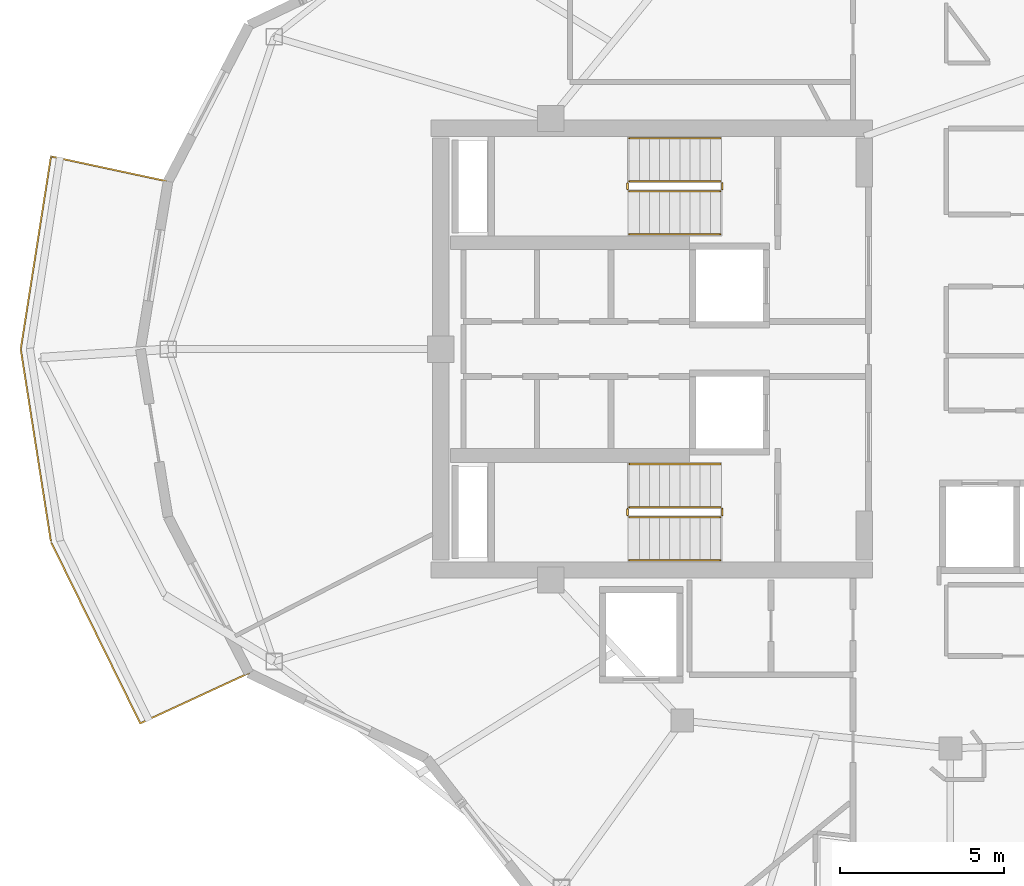
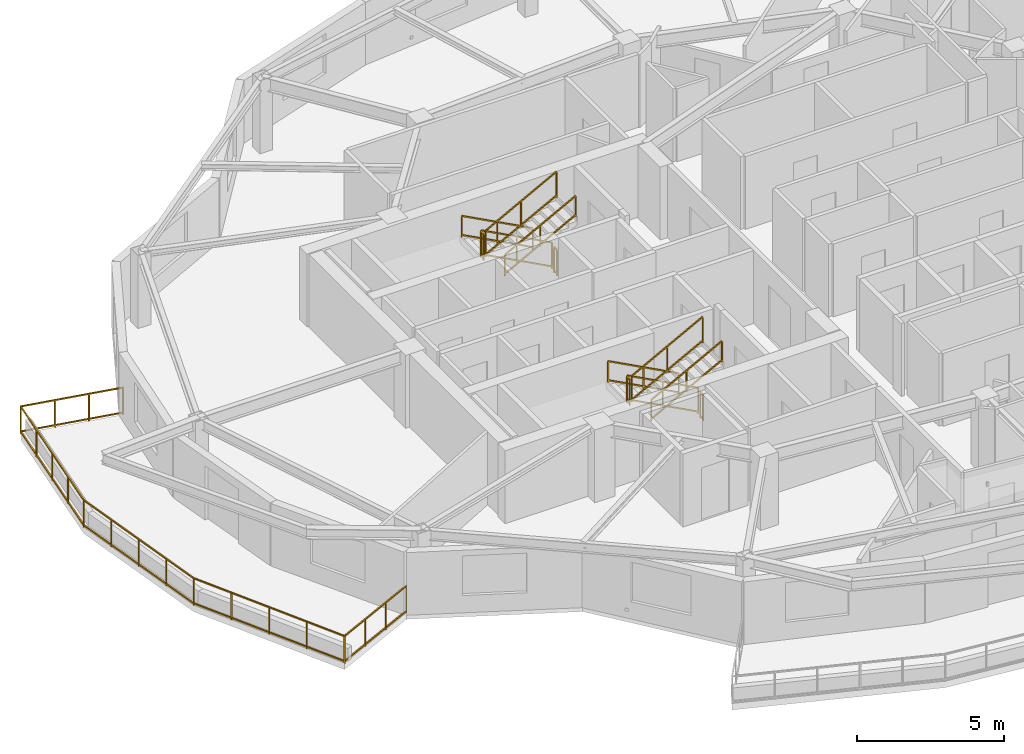
# One storey, part 11 of 14: 13 railings.
"""IFC4 building model written with IfcOpenShell, lengths in metres."""

from ifc_helpers import new_model, si_unit, direction, frame, origin, origin_2d, place, context, subcontext, project, spatial, rectangle, extrude, material, type_object, element, save


model = new_model("IFC4")

# Units and contexts
model_context = context("Model", 3, precision=1e-05, world=origin(), true_north=direction((0.0, 1.0)))
body_context = subcontext(model_context, "Body", "Model", "MODEL_VIEW")
ifc_project = project(units=[si_unit("LENGTHUNIT", "METRE"), si_unit("AREAUNIT", "SQUARE_METRE"), si_unit("VOLUMEUNIT", "CUBIC_METRE"), si_unit("PLANEANGLEUNIT", "RADIAN"), si_unit("MASSUNIT", "GRAM", prefix="KILO")], contexts=[model_context])

# Site, building, storey
site_placement = place(None, origin())
site = spatial("IfcSite", under=ifc_project, at=site_placement, CompositionType="ELEMENT")
building_placement = place(site_placement, origin())
building = spatial("IfcBuilding", under=site, at=building_placement, Name="Kolvaren Gate Tower and Convention Centre", CompositionType="ELEMENT")
storey_placement = place(building_placement, frame((0.0, 0.0, 216.199951171875)))
storey = spatial("IfcBuildingStorey", under=building, at=storey_placement, Name="L57", CompositionType="ELEMENT", Elevation=216.199951171875)

# Railings
ifc_material = material(Name="Brushed Stainless Steel Grade 316L", Category="steel")
railing_type_1 = type_object("IfcRailingType", Name="ARCH-RL-GUARD-1150", PredefinedType="GUARDRAIL", material=ifc_material)
railing_1_placement = place(storey_placement, frame((23.10009765625, 32.1298828125, 0.1650390625)))
element("IfcRailing", 1, at=railing_1_placement, inside=storey, type_object=railing_type_1, Name="L57 ST-T1 stair guard 1", PredefinedType="GUARDRAIL", context=body_context, shape_type="SweptSolid", body=[
    extrude(rectangle(XDim=0.048095703125, YDim=0.048095703125, at=origin_2d()), frame((0.0, 0.0, 1.076171875), z_axis=(-0.882735390775, 0.0, 0.469870439454), x_axis=(0.0, -1.0, 0.0)), (0.0, 0.0, 1.0), 3.16064453125),
    extrude(rectangle(XDim=0.048095703125, YDim=0.048095703125, at=origin_2d()), frame((0.0, 0.0, 0.083984375), z_axis=(-0.882735390775, 0.0, 0.469870439454), x_axis=(0.0, -1.0, 0.0)), (0.0, 0.0, 1.0), 3.16064453125),
    extrude(rectangle(XDim=0.0419921875, YDim=0.0419921875, at=origin_2d()), origin(), (0.0, 0.0, 1.0), 1.050048828125),
    extrude(rectangle(XDim=0.0419921875, YDim=0.0419921875, at=origin_2d()), frame((-2.7900390625, 0.0, 1.485107421875)), (0.0, 0.0, 1.0), 1.050048828125),
    extrude(rectangle(XDim=0.0419921875, YDim=0.0419921875, at=origin_2d()), frame((-1.39501953125, 0.0, 0.74267578125)), (0.0, 0.0, 1.0), 1.050048828125),
])
railing_2_placement = place(storey_placement, frame((20.260009765625, 32.080078125, 1.650146484375)))
element("IfcRailing", 2, at=railing_2_placement, inside=storey, type_object=railing_type_1, Name="L57 ST-T1 stair guard 2", PredefinedType="GUARDRAIL", context=body_context, shape_type="SweptSolid", body=[
    extrude(rectangle(XDim=0.048095703125, YDim=0.048095703125, at=origin_2d()), frame((0.0, 0.0, 1.076171875), z_axis=(0.0, -1.0, 0.0), x_axis=(1.0, 0.0, 0.0)), (0.0, 0.0, 1.0), 0.2001953125),
    extrude(rectangle(XDim=0.048095703125, YDim=0.048095703125, at=origin_2d()), frame((0.0, 0.0, 0.083984375), z_axis=(0.0, -1.0, 0.0), x_axis=(1.0, 0.0, 0.0)), (0.0, 0.0, 1.0), 0.2001953125),
    extrude(rectangle(XDim=0.0419921875, YDim=0.0419921875, at=origin_2d()), origin(), (0.0, 0.0, 1.0), 1.050048828125),
    extrude(rectangle(XDim=0.0419921875, YDim=0.0419921875, at=origin_2d()), frame((0.0, -0.2001953125, 0.0)), (0.0, 0.0, 1.0), 1.050048828125),
])
railing_3_placement = place(storey_placement, frame((20.31005859375, 31.830078125, 1.81494140625)))
element("IfcRailing", 3, at=railing_3_placement, inside=storey, type_object=railing_type_1, Name="L57 ST-T1 stair guard 3", PredefinedType="GUARDRAIL", context=body_context, shape_type="SweptSolid", body=[
    extrude(rectangle(XDim=0.048095703125, YDim=0.048095703125, at=origin_2d()), frame((0.0, 0.0, 1.076171875), z_axis=(0.882735390775, 0.0, 0.469870439454), x_axis=(0.0, 1.0, 0.0)), (0.0, 0.0, 1.0), 3.16064453125),
    extrude(rectangle(XDim=0.048095703125, YDim=0.048095703125, at=origin_2d()), frame((0.0, 0.0, 0.083984375), z_axis=(0.882735390775, 0.0, 0.469870439454), x_axis=(0.0, 1.0, 0.0)), (0.0, 0.0, 1.0), 3.16064453125),
    extrude(rectangle(XDim=0.0419921875, YDim=0.0419921875, at=origin_2d()), origin(), (0.0, 0.0, 1.0), 1.050048828125),
    extrude(rectangle(XDim=0.0419921875, YDim=0.0419921875, at=origin_2d()), frame((2.7900390625, 0.0, 1.485107421875)), (0.0, 0.0, 1.0), 1.050048828125),
    extrude(rectangle(XDim=0.0419921875, YDim=0.0419921875, at=origin_2d()), frame((1.39501953125, 0.0, 0.74267578125)), (0.0, 0.0, 1.0), 1.050048828125),
])
railing_4_placement = place(storey_placement, frame((23.14990234375, 32.080078125, 0.0)))
element("IfcRailing", 4, at=railing_4_placement, inside=storey, type_object=railing_type_1, Name="L57 ST-T1 stair guard 4", PredefinedType="GUARDRAIL", context=body_context, shape_type="SweptSolid", body=[
    extrude(rectangle(XDim=0.048095703125, YDim=0.048095703125, at=origin_2d()), frame((0.0, 0.0, 1.076171875), z_axis=(0.0, -1.0, 0.0), x_axis=(1.0, 0.0, 0.0)), (0.0, 0.0, 1.0), 0.2001953125),
    extrude(rectangle(XDim=0.048095703125, YDim=0.048095703125, at=origin_2d()), frame((0.0, 0.0, 0.083984375), z_axis=(0.0, -1.0, 0.0), x_axis=(1.0, 0.0, 0.0)), (0.0, 0.0, 1.0), 0.2001953125),
    extrude(rectangle(XDim=0.0419921875, YDim=0.0419921875, at=origin_2d()), origin(), (0.0, 0.0, 1.0), 1.050048828125),
    extrude(rectangle(XDim=0.0419921875, YDim=0.0419921875, at=origin_2d()), frame((0.0, -0.2001953125, 0.0)), (0.0, 0.0, 1.0), 1.050048828125),
])
railing_5_placement = place(storey_placement, frame((23.10009765625, 22.169921875, 0.1650390625)))
element("IfcRailing", 5, at=railing_5_placement, inside=storey, type_object=railing_type_1, Name="L57 ST-T2 stair guard 1", PredefinedType="GUARDRAIL", context=body_context, shape_type="SweptSolid", body=[
    extrude(rectangle(XDim=0.048095703125, YDim=0.048095703125, at=origin_2d()), frame((0.0, 0.0, 1.076171875), z_axis=(-0.882735390775, 0.0, 0.469870439454), x_axis=(0.0, -1.0, 0.0)), (0.0, 0.0, 1.0), 3.16064453125),
    extrude(rectangle(XDim=0.048095703125, YDim=0.048095703125, at=origin_2d()), frame((0.0, 0.0, 0.083984375), z_axis=(-0.882735390775, 0.0, 0.469870439454), x_axis=(0.0, -1.0, 0.0)), (0.0, 0.0, 1.0), 3.16064453125),
    extrude(rectangle(XDim=0.0419921875, YDim=0.0419921875, at=origin_2d()), origin(), (0.0, 0.0, 1.0), 1.050048828125),
    extrude(rectangle(XDim=0.0419921875, YDim=0.0419921875, at=origin_2d()), frame((-2.7900390625, 0.0, 1.485107421875)), (0.0, 0.0, 1.0), 1.050048828125),
    extrude(rectangle(XDim=0.0419921875, YDim=0.0419921875, at=origin_2d()), frame((-1.39501953125, 0.0, 0.74267578125)), (0.0, 0.0, 1.0), 1.050048828125),
])
railing_6_placement = place(storey_placement, frame((20.260009765625, 22.1201171875, 1.650146484375)))
element("IfcRailing", 6, at=railing_6_placement, inside=storey, type_object=railing_type_1, Name="L57 ST-T2 stair guard 2", PredefinedType="GUARDRAIL", context=body_context, shape_type="SweptSolid", body=[
    extrude(rectangle(XDim=0.048095703125, YDim=0.048095703125, at=origin_2d()), frame((0.0, 0.0, 1.076171875), z_axis=(0.0, -1.0, 0.0), x_axis=(1.0, 0.0, 0.0)), (0.0, 0.0, 1.0), 0.2001953125),
    extrude(rectangle(XDim=0.048095703125, YDim=0.048095703125, at=origin_2d()), frame((0.0, 0.0, 0.083984375), z_axis=(0.0, -1.0, 0.0), x_axis=(1.0, 0.0, 0.0)), (0.0, 0.0, 1.0), 0.2001953125),
    extrude(rectangle(XDim=0.0419921875, YDim=0.0419921875, at=origin_2d()), origin(), (0.0, 0.0, 1.0), 1.050048828125),
    extrude(rectangle(XDim=0.0419921875, YDim=0.0419921875, at=origin_2d()), frame((0.0, -0.2001953125, 0.0)), (0.0, 0.0, 1.0), 1.050048828125),
])
railing_7_placement = place(storey_placement, frame((20.31005859375, 21.8701171875, 1.81494140625)))
element("IfcRailing", 7, at=railing_7_placement, inside=storey, type_object=railing_type_1, Name="L57 ST-T2 stair guard 3", PredefinedType="GUARDRAIL", context=body_context, shape_type="SweptSolid", body=[
    extrude(rectangle(XDim=0.048095703125, YDim=0.048095703125, at=origin_2d()), frame((0.0, 0.0, 1.076171875), z_axis=(0.882735390775, 0.0, 0.469870439454), x_axis=(0.0, 1.0, 0.0)), (0.0, 0.0, 1.0), 3.16064453125),
    extrude(rectangle(XDim=0.048095703125, YDim=0.048095703125, at=origin_2d()), frame((0.0, 0.0, 0.083984375), z_axis=(0.882735390775, 0.0, 0.469870439454), x_axis=(0.0, 1.0, 0.0)), (0.0, 0.0, 1.0), 3.16064453125),
    extrude(rectangle(XDim=0.0419921875, YDim=0.0419921875, at=origin_2d()), origin(), (0.0, 0.0, 1.0), 1.050048828125),
    extrude(rectangle(XDim=0.0419921875, YDim=0.0419921875, at=origin_2d()), frame((2.7900390625, 0.0, 1.485107421875)), (0.0, 0.0, 1.0), 1.050048828125),
    extrude(rectangle(XDim=0.0419921875, YDim=0.0419921875, at=origin_2d()), frame((1.39501953125, 0.0, 0.74267578125)), (0.0, 0.0, 1.0), 1.050048828125),
])
railing_8_placement = place(storey_placement, frame((23.14990234375, 22.1201171875, 0.0)))
element("IfcRailing", 8, at=railing_8_placement, inside=storey, type_object=railing_type_1, Name="L57 ST-T2 stair guard 4", PredefinedType="GUARDRAIL", context=body_context, shape_type="SweptSolid", body=[
    extrude(rectangle(XDim=0.048095703125, YDim=0.048095703125, at=origin_2d()), frame((0.0, 0.0, 1.076171875), z_axis=(0.0, -1.0, 0.0), x_axis=(1.0, 0.0, 0.0)), (0.0, 0.0, 1.0), 0.2001953125),
    extrude(rectangle(XDim=0.048095703125, YDim=0.048095703125, at=origin_2d()), frame((0.0, 0.0, 0.083984375), z_axis=(0.0, -1.0, 0.0), x_axis=(1.0, 0.0, 0.0)), (0.0, 0.0, 1.0), 0.2001953125),
    extrude(rectangle(XDim=0.0419921875, YDim=0.0419921875, at=origin_2d()), origin(), (0.0, 0.0, 1.0), 1.050048828125),
    extrude(rectangle(XDim=0.0419921875, YDim=0.0419921875, at=origin_2d()), frame((0.0, -0.2001953125, 0.0)), (0.0, 0.0, 1.0), 1.050048828125),
])
railing_9_placement = place(storey_placement, frame((6.21826171875, 32.12451171875, 0.0)))
element("IfcRailing", 9, at=railing_9_placement, inside=storey, type_object=railing_type_1, Name="Tower L57 Terrace Perimeter Guardrail GR-2", PredefinedType="GUARDRAIL", context=body_context, shape_type="SweptSolid", body=[
    extrude(rectangle(XDim=0.048095703125, YDim=0.048095703125, at=origin_2d()), frame((-0.02734375, 0.005859375, 1.1259765625), z_axis=(-0.977788745232, 0.209592866525, 0.0), x_axis=(-0.209592866525, -0.977788745232, 0.0)), (0.0, 0.0, 1.0), 3.603759765625),
    extrude(rectangle(XDim=0.048095703125, YDim=0.048095703125, at=origin_2d()), frame((-0.02734375, 0.005859375, 0.083984375), z_axis=(-0.977788745232, 0.209592866525, 0.0), x_axis=(-0.209592866525, -0.977788745232, 0.0)), (0.0, 0.0, 1.0), 3.603759765625),
    extrude(rectangle(XDim=0.048095703125, YDim=0.048095703125, at=origin_2d()), frame((-3.5830078125, 0.739501953125, 1.1259765625), z_axis=(-0.155031225865, -0.987909570258, 0.0), x_axis=(0.987909570258, -0.155031225865, 0.0)), (0.0, 0.0, 1.0), 5.90771484375),
    extrude(rectangle(XDim=0.048095703125, YDim=0.048095703125, at=origin_2d()), frame((-3.5830078125, 0.739501953125, 0.083984375), z_axis=(-0.155031225865, -0.987909570258, 0.0), x_axis=(0.987909570258, -0.155031225865, 0.0)), (0.0, 0.0, 1.0), 5.90771484375),
    extrude(rectangle(XDim=0.048095703125, YDim=0.048095703125, at=origin_2d()), frame((-4.498779296875, -5.152099609375, 1.1259765625), z_axis=(0.155031225865, -0.987909570258, 0.0), x_axis=(0.987909570258, 0.155031225865, 0.0)), (0.0, 0.0, 1.0), 5.90771484375),
    extrude(rectangle(XDim=0.048095703125, YDim=0.048095703125, at=origin_2d()), frame((-4.498779296875, -5.152099609375, 0.083984375), z_axis=(0.155031225865, -0.987909570258, 0.0), x_axis=(0.987909570258, 0.155031225865, 0.0)), (0.0, 0.0, 1.0), 5.90771484375),
    extrude(rectangle(XDim=0.048095703125, YDim=0.048095703125, at=origin_2d()), frame((-3.566162109375, -11.041259765625, 1.1259765625), z_axis=(0.441625304244, -0.897199582396, 0.0), x_axis=(0.897199582396, 0.441625304244, 0.0)), (0.0, 0.0, 1.0), 6.122314453125),
    extrude(rectangle(XDim=0.048095703125, YDim=0.048095703125, at=origin_2d()), frame((-3.566162109375, -11.041259765625, 0.083984375), z_axis=(0.441625304244, -0.897199582396, 0.0), x_axis=(0.897199582396, 0.441625304244, 0.0)), (0.0, 0.0, 1.0), 6.122314453125),
    extrude(rectangle(XDim=0.048095703125, YDim=0.048095703125, at=origin_2d()), frame((-0.82470703125, -16.547607421875, 1.1259765625), z_axis=(0.907820723829, 0.419358478377, 0.0), x_axis=(-0.419358478377, 0.907820723829, 0.0)), (0.0, 0.0, 1.0), 3.60400390625),
    extrude(rectangle(XDim=0.048095703125, YDim=0.048095703125, at=origin_2d()), frame((-0.82470703125, -16.547607421875, 0.083984375), z_axis=(0.907820723829, 0.419358478377, 0.0), x_axis=(-0.419358478377, 0.907820723829, 0.0)), (0.0, 0.0, 1.0), 3.60400390625),
    extrude(rectangle(XDim=0.0419921875, YDim=0.0419921875, at=origin_2d()), origin(), (0.0, 0.0, 1.0), 1.14990234375),
    extrude(rectangle(XDim=0.0419921875, YDim=0.0419921875, at=origin_2d()), frame((-3.57861328125, 0.76708984375, 0.0)), (0.0, 0.0, 1.0), 1.14990234375),
    extrude(rectangle(XDim=0.0419921875, YDim=0.0419921875, at=origin_2d()), frame((-1.19287109375, 0.255615234375, 0.0)), (0.0, 0.0, 1.0), 1.099853515625),
    extrude(rectangle(XDim=0.0419921875, YDim=0.0419921875, at=origin_2d()), frame((-2.3857421875, 0.511474609375, 0.0)), (0.0, 0.0, 1.0), 1.099853515625),
    extrude(rectangle(XDim=0.0419921875, YDim=0.0419921875, at=origin_2d()), frame((-4.503173828125, -5.12451171875, 0.0)), (0.0, 0.0, 1.0), 1.14990234375),
    extrude(rectangle(XDim=0.0419921875, YDim=0.0419921875, at=origin_2d()), frame((-3.809814453125, -0.705810546875, 0.0)), (0.0, 0.0, 1.0), 1.099853515625),
    extrude(rectangle(XDim=0.0419921875, YDim=0.0419921875, at=origin_2d()), frame((-4.041015625, -2.1787109375, 0.0)), (0.0, 0.0, 1.0), 1.099853515625),
    extrude(rectangle(XDim=0.0419921875, YDim=0.0419921875, at=origin_2d()), frame((-4.27197265625, -3.651611328125, 0.0)), (0.0, 0.0, 1.0), 1.099853515625),
    extrude(rectangle(XDim=0.0419921875, YDim=0.0419921875, at=origin_2d()), frame((-3.57861328125, -11.01611328125, 0.0)), (0.0, 0.0, 1.0), 1.14990234375),
    extrude(rectangle(XDim=0.0419921875, YDim=0.0419921875, at=origin_2d()), frame((-4.27197265625, -6.597412109375, 0.0)), (0.0, 0.0, 1.0), 1.099853515625),
    extrude(rectangle(XDim=0.0419921875, YDim=0.0419921875, at=origin_2d()), frame((-4.041015625, -8.0703125, 0.0)), (0.0, 0.0, 1.0), 1.099853515625),
    extrude(rectangle(XDim=0.0419921875, YDim=0.0419921875, at=origin_2d()), frame((-3.809814453125, -9.543212890625, 0.0)), (0.0, 0.0, 1.0), 1.099853515625),
    extrude(rectangle(XDim=0.0419921875, YDim=0.0419921875, at=origin_2d()), frame((-0.85009765625, -16.559326171875, 0.0)), (0.0, 0.0, 1.0), 1.14990234375),
    extrude(rectangle(XDim=0.0419921875, YDim=0.0419921875, at=origin_2d()), frame((-2.896484375, -12.40185546875, 0.0)), (0.0, 0.0, 1.0), 1.099853515625),
    extrude(rectangle(XDim=0.0419921875, YDim=0.0419921875, at=origin_2d()), frame((-2.21435546875, -13.78759765625, 0.0)), (0.0, 0.0, 1.0), 1.099853515625),
    extrude(rectangle(XDim=0.0419921875, YDim=0.0419921875, at=origin_2d()), frame((-1.5322265625, -15.173583984375, 0.0)), (0.0, 0.0, 1.0), 1.099853515625),
    extrude(rectangle(XDim=0.0419921875, YDim=0.0419921875, at=origin_2d()), frame((2.47265625, -15.0244140625, 0.0)), (0.0, 0.0, 1.0), 1.14990234375),
    extrude(rectangle(XDim=0.0419921875, YDim=0.0419921875, at=origin_2d()), frame((0.257568359375, -16.047607421875, 0.0)), (0.0, 0.0, 1.0), 1.099853515625),
    extrude(rectangle(XDim=0.0419921875, YDim=0.0419921875, at=origin_2d()), frame((1.364990234375, -15.5361328125, 0.0)), (0.0, 0.0, 1.0), 1.099853515625),
])
railing_type_2 = type_object("IfcRailingType", Name="ARCH-RL-HANDRAIL-920", PredefinedType="HANDRAIL", material=ifc_material)
railing_10_placement = place(storey_placement, frame((23.10009765625, 33.449951171875, 0.1650390625)))
element("IfcRailing", 10, at=railing_10_placement, inside=storey, type_object=railing_type_2, Name="L57 ST-T1 stair handrail 1", PredefinedType="HANDRAIL", context=body_context, shape_type="SweptSolid", body=[
    extrude(rectangle(XDim=0.048095703125, YDim=0.048095703125, at=origin_2d()), frame((0.0, 0.0, 0.8759765625), z_axis=(-0.882735390775, 0.0, 0.469870439454), x_axis=(0.0, -1.0, 0.0)), (0.0, 0.0, 1.0), 3.16064453125),
    extrude(rectangle(XDim=0.048095703125, YDim=0.048095703125, at=origin_2d()), frame((0.0, 0.0, 0.083984375), z_axis=(-0.882735390775, 0.0, 0.469870439454), x_axis=(0.0, -1.0, 0.0)), (0.0, 0.0, 1.0), 3.16064453125),
    extrude(rectangle(XDim=0.0419921875, YDim=0.0419921875, at=origin_2d()), origin(), (0.0, 0.0, 1.0), 0.849853515625),
    extrude(rectangle(XDim=0.0419921875, YDim=0.0419921875, at=origin_2d()), frame((-2.7900390625, 0.0, 1.485107421875)), (0.0, 0.0, 1.0), 0.849853515625),
    extrude(rectangle(XDim=0.0419921875, YDim=0.0419921875, at=origin_2d()), frame((-1.39501953125, 0.0, 0.74267578125)), (0.0, 0.0, 1.0), 0.849853515625),
])
railing_11_placement = place(storey_placement, frame((20.31005859375, 30.510009765625, 1.81494140625)))
element("IfcRailing", 11, at=railing_11_placement, inside=storey, type_object=railing_type_2, Name="L57 ST-T1 stair handrail 2", PredefinedType="HANDRAIL", context=body_context, shape_type="SweptSolid", body=[
    extrude(rectangle(XDim=0.048095703125, YDim=0.048095703125, at=origin_2d()), frame((0.0, 0.0, 0.8759765625), z_axis=(0.882735390775, 0.0, 0.469870439454), x_axis=(0.0, 1.0, 0.0)), (0.0, 0.0, 1.0), 3.16064453125),
    extrude(rectangle(XDim=0.048095703125, YDim=0.048095703125, at=origin_2d()), frame((0.0, 0.0, 0.083984375), z_axis=(0.882735390775, 0.0, 0.469870439454), x_axis=(0.0, 1.0, 0.0)), (0.0, 0.0, 1.0), 3.16064453125),
    extrude(rectangle(XDim=0.0419921875, YDim=0.0419921875, at=origin_2d()), origin(), (0.0, 0.0, 1.0), 0.849853515625),
    extrude(rectangle(XDim=0.0419921875, YDim=0.0419921875, at=origin_2d()), frame((2.7900390625, 0.0, 1.485107421875)), (0.0, 0.0, 1.0), 0.849853515625),
    extrude(rectangle(XDim=0.0419921875, YDim=0.0419921875, at=origin_2d()), frame((1.39501953125, 0.0, 0.74267578125)), (0.0, 0.0, 1.0), 0.849853515625),
])
railing_12_placement = place(storey_placement, frame((23.10009765625, 23.489990234375, 0.1650390625)))
element("IfcRailing", 12, at=railing_12_placement, inside=storey, type_object=railing_type_2, Name="L57 ST-T2 stair handrail 1", PredefinedType="HANDRAIL", context=body_context, shape_type="SweptSolid", body=[
    extrude(rectangle(XDim=0.048095703125, YDim=0.048095703125, at=origin_2d()), frame((0.0, 0.0, 0.8759765625), z_axis=(-0.882735390775, 0.0, 0.469870439454), x_axis=(0.0, -1.0, 0.0)), (0.0, 0.0, 1.0), 3.16064453125),
    extrude(rectangle(XDim=0.048095703125, YDim=0.048095703125, at=origin_2d()), frame((0.0, 0.0, 0.083984375), z_axis=(-0.882735390775, 0.0, 0.469870439454), x_axis=(0.0, -1.0, 0.0)), (0.0, 0.0, 1.0), 3.16064453125),
    extrude(rectangle(XDim=0.0419921875, YDim=0.0419921875, at=origin_2d()), origin(), (0.0, 0.0, 1.0), 0.849853515625),
    extrude(rectangle(XDim=0.0419921875, YDim=0.0419921875, at=origin_2d()), frame((-2.7900390625, 0.0, 1.485107421875)), (0.0, 0.0, 1.0), 0.849853515625),
    extrude(rectangle(XDim=0.0419921875, YDim=0.0419921875, at=origin_2d()), frame((-1.39501953125, 0.0, 0.74267578125)), (0.0, 0.0, 1.0), 0.849853515625),
])
railing_13_placement = place(storey_placement, frame((20.31005859375, 20.550048828125, 1.81494140625)))
element("IfcRailing", 13, at=railing_13_placement, inside=storey, type_object=railing_type_2, Name="L57 ST-T2 stair handrail 2", PredefinedType="HANDRAIL", context=body_context, shape_type="SweptSolid", body=[
    extrude(rectangle(XDim=0.048095703125, YDim=0.048095703125, at=origin_2d()), frame((0.0, 0.0, 0.8759765625), z_axis=(0.882735390775, 0.0, 0.469870439454), x_axis=(0.0, 1.0, 0.0)), (0.0, 0.0, 1.0), 3.16064453125),
    extrude(rectangle(XDim=0.048095703125, YDim=0.048095703125, at=origin_2d()), frame((0.0, 0.0, 0.083984375), z_axis=(0.882735390775, 0.0, 0.469870439454), x_axis=(0.0, 1.0, 0.0)), (0.0, 0.0, 1.0), 3.16064453125),
    extrude(rectangle(XDim=0.0419921875, YDim=0.0419921875, at=origin_2d()), origin(), (0.0, 0.0, 1.0), 0.849853515625),
    extrude(rectangle(XDim=0.0419921875, YDim=0.0419921875, at=origin_2d()), frame((2.7900390625, 0.0, 1.485107421875)), (0.0, 0.0, 1.0), 0.849853515625),
    extrude(rectangle(XDim=0.0419921875, YDim=0.0419921875, at=origin_2d()), frame((1.39501953125, 0.0, 0.74267578125)), (0.0, 0.0, 1.0), 0.849853515625),
])

save(model, "model.ifc")
